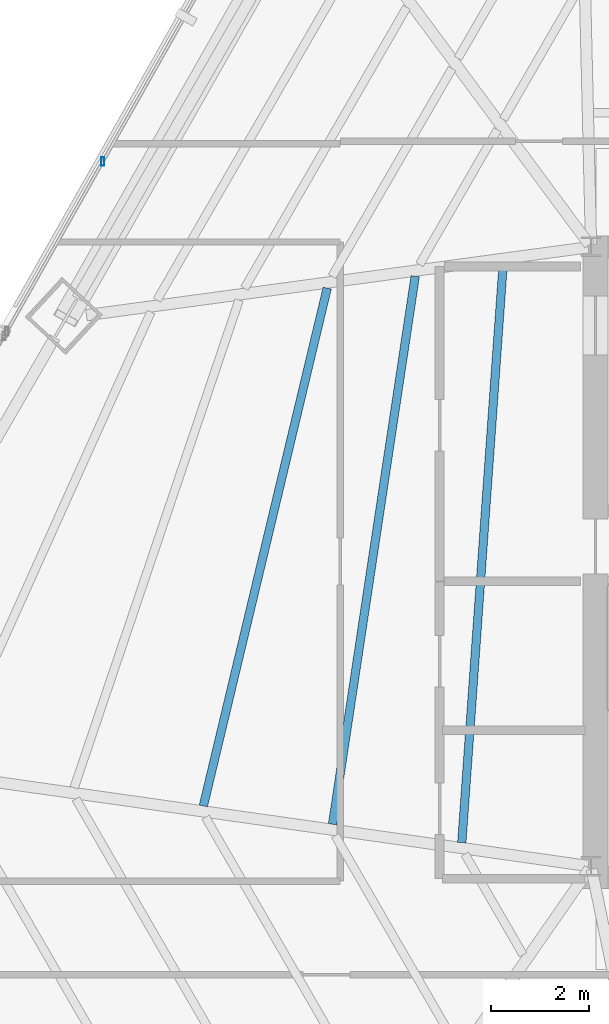
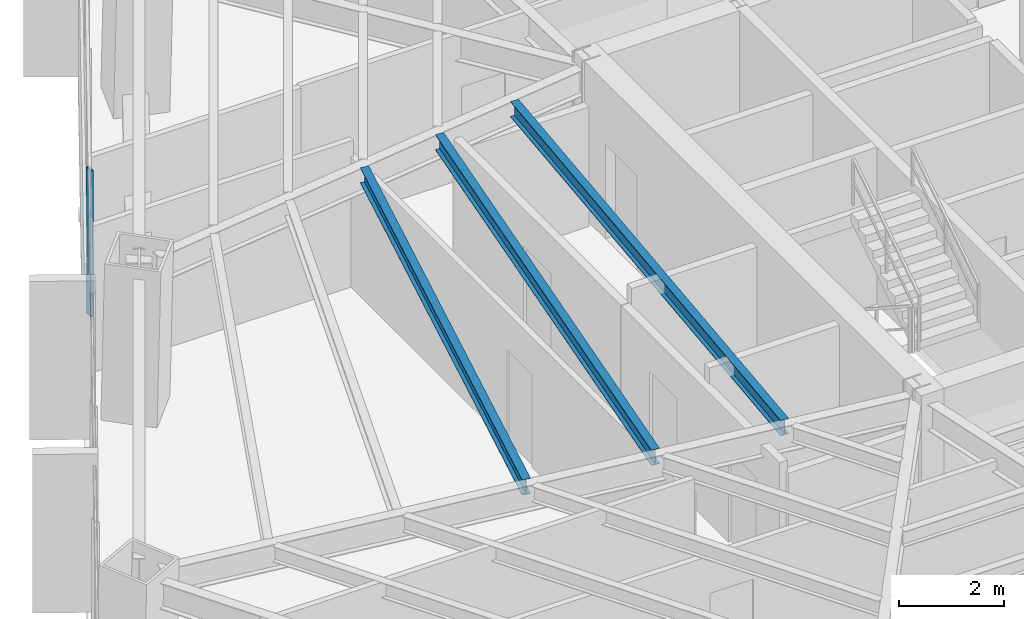
# One storey, part 12 of 36: 3 beams, 1 member, 1 element without a shape of its own.
"""IFC4 building model written with IfcOpenShell, lengths in metres."""

import ifcopenshell
import ifcopenshell.guid

model = None  # the IFC model being written
_history = None  # IfcOwnerHistory: only IFC2X3 demands one
_inside = {}  # id of a spatial element -> (the spatial element, [elements in it])
_under = {}  # id of a project, library or spatial element -> (it, [spatial elements below it])
_declared = {}  # id of a project -> (the project, [libraries it declares])
_typed = {}  # id of a type object -> (the type object, [elements of that type])
_made_of = {}  # id of a material, layer set ... -> (it, [elements and type objects made of it])


def new_model(schema):
    """Start an empty IFC model of exactly this schema.

    Asked for "IFC4X3", IfcOpenShell would pick the latest addendum, in which some entities
    have other attributes; the version numbers below select the first issue.
    IFC2X3 requires an IfcOwnerHistory on every rooted entity: one is made here for all.
    """
    global model, _history
    if schema == "IFC4X3":
        model = ifcopenshell.file(schema_version=(4, 3, 0, 0))
    else:
        model = ifcopenshell.file(schema=schema)
    _inside.clear()
    _under.clear()
    _declared.clear()
    _typed.clear()
    _made_of.clear()
    _history = None
    if model.schema == "IFC2X3":
        org = make("IfcOrganization", Name="unknown")
        user = make(
            "IfcPersonAndOrganization",
            ThePerson=make("IfcPerson", FamilyName="unknown"),
            TheOrganization=org,
        )
        app = make(
            "IfcApplication",
            ApplicationDeveloper=org,
            Version="unknown",
            ApplicationFullName="unknown",
            ApplicationIdentifier="unknown",
        )
        _history = make(
            "IfcOwnerHistory",
            OwningUser=user,
            OwningApplication=app,
            ChangeAction="ADDED",
            CreationDate=0,
        )
    return model


def make(cls, **values):
    """One entity of the class cls with the attributes given. An attribute that is None is left unset."""
    return model.create_entity(
        cls, **{name: value for name, value in values.items() if value is not None}
    )


def rooted(cls, **values):
    """An entity with a GlobalId (a new one), such as an element, a storey or a relation."""
    return make(cls, GlobalId=ifcopenshell.guid.new(), OwnerHistory=_history, **values)


def si_unit(unit_type, name, prefix=None):
    """IfcSIUnit, for example si_unit("LENGTHUNIT", "METRE", prefix="MILLI")."""
    return make("IfcSIUnit", UnitType=unit_type, Prefix=prefix, Name=name)


def assignment(units):
    """IfcUnitAssignment: the units of a project."""
    return None if units is None else make("IfcUnitAssignment", Units=units)


def point(xyz):
    """IfcCartesianPoint."""
    return None if xyz is None else make("IfcCartesianPoint", Coordinates=xyz)


def direction(xyz):
    """IfcDirection."""
    return None if xyz is None else make("IfcDirection", DirectionRatios=xyz)


def frame(location, z_axis=None, x_axis=None):
    """IfcAxis2Placement3D, a coordinate frame: its origin and axes. An axis left out is left unset."""
    return make(
        "IfcAxis2Placement3D",
        Location=point(location),
        Axis=direction(z_axis),
        RefDirection=direction(x_axis),
    )


def frame_2d(location, x_axis=None):
    """IfcAxis2Placement2D, a coordinate frame in the plane: its origin and x axis."""
    return make(
        "IfcAxis2Placement2D", Location=point(location), RefDirection=direction(x_axis)
    )


def origin():
    """The frame at (0, 0, 0) with its axes left unset."""
    return frame((0.0, 0.0, 0.0))


def origin_2d():
    """The frame at (0, 0) in the plane with its x axis left unset."""
    return frame_2d((0.0, 0.0))


def place(relative_to, where):
    """IfcLocalPlacement: puts the frame where relative to a parent placement (None: the world)."""
    return make(
        "IfcLocalPlacement", PlacementRelTo=relative_to, RelativePlacement=where
    )


def context(
    kind, dimensions, precision=None, world=None, true_north=None, identifier=None
):
    """IfcGeometricRepresentationContext, for example the 3D "Model" context."""
    return make(
        "IfcGeometricRepresentationContext",
        ContextIdentifier=identifier,
        ContextType=kind,
        CoordinateSpaceDimension=dimensions,
        Precision=precision,
        WorldCoordinateSystem=world,
        TrueNorth=true_north,
    )


def subcontext(parent, identifier, kind, view, scale=None):
    """IfcGeometricRepresentationSubContext, for example "Body" below "Model"."""
    return make(
        "IfcGeometricRepresentationSubContext",
        ContextIdentifier=identifier,
        ContextType=kind,
        ParentContext=parent,
        TargetScale=scale,
        TargetView=view,
    )


def project(units=None, contexts=None):
    """IfcProject with its units and contexts."""
    return rooted(
        "IfcProject",
        Name="project",
        RepresentationContexts=contexts,
        UnitsInContext=assignment(units),
    )


def spatial(cls, under=None, at=None, **own):
    """A site, building, storey or space (cls), placed at a placement, below another one or the project."""
    s = rooted(cls, ObjectPlacement=at, **own)
    if under is not None:
        _under.setdefault(under.id(), (under, []))[1].append(s)
    return s


def profile(cls, at=None, kind="AREA", **sizes):
    """A parametric profile (cls). Its sizes go by their IFC names, for example OverallWidth=200.0."""
    return make(cls, ProfileType=kind, Position=at, **sizes)


def hollow_rectangle(**sizes):
    """IfcRectangleHollowProfileDef."""
    return profile("IfcRectangleHollowProfileDef", **sizes)


def i_section(**sizes):
    """IfcIShapeProfileDef."""
    return profile("IfcIShapeProfileDef", **sizes)


def extrude(swept, where, along, depth):
    """IfcExtrudedAreaSolid: the profile swept, set in the frame where, extruded along a direction by depth."""
    return make(
        "IfcExtrudedAreaSolid",
        SweptArea=swept,
        Position=where,
        ExtrudedDirection=direction(along),
        Depth=depth,
    )


def shape(context_of_items, identifier, shape_type, items):
    """IfcShapeRepresentation: the items that make up one representation, for example the "Body"."""
    return make(
        "IfcShapeRepresentation",
        ContextOfItems=context_of_items,
        RepresentationIdentifier=identifier,
        RepresentationType=shape_type,
        Items=items,
    )


def source(mapping_origin, context_of_items, identifier, shape_type, items):
    """IfcRepresentationMap: a shape defined once, which mapped items show again and again."""
    return make(
        "IfcRepresentationMap",
        MappingOrigin=mapping_origin,
        MappedRepresentation=shape(context_of_items, identifier, shape_type, items),
    )


def transform(
    local_origin,
    x_axis=None,
    y_axis=None,
    z_axis=None,
    scale=None,
    scale2=None,
    scale3=None,
    uniform=True,
):
    """IfcCartesianTransformationOperator3D, or its non-uniform kind. x_axis, y_axis, z_axis: its Axis1, 2, 3."""
    if uniform:
        return make(
            "IfcCartesianTransformationOperator3D",
            Axis1=direction(x_axis),
            Axis2=direction(y_axis),
            LocalOrigin=point(local_origin),
            Scale=scale,
            Axis3=direction(z_axis),
        )
    return make(
        "IfcCartesianTransformationOperator3DnonUniform",
        Axis1=direction(x_axis),
        Axis2=direction(y_axis),
        LocalOrigin=point(local_origin),
        Scale=scale,
        Axis3=direction(z_axis),
        Scale2=scale2,
        Scale3=scale3,
    )


def mapped(mapping_source, mapping_target):
    """IfcMappedItem: shows the shape of a source again, moved by a transform."""
    return make(
        "IfcMappedItem", MappingSource=mapping_source, MappingTarget=mapping_target
    )


def material(Name=None, Category=None):
    """IfcMaterial."""
    return make("IfcMaterial", Name=Name, Category=Category)


def material_profile(
    of_material, cross_section, Name=None, Category=None, Priority=None
):
    """IfcMaterialProfile: a cross section and its material."""
    return make(
        "IfcMaterialProfile",
        Name=Name,
        Material=of_material,
        Profile=cross_section,
        Priority=Priority,
        Category=Category,
    )


def profile_set(profiles, Name=None, composite=None):
    """IfcMaterialProfileSet."""
    return make(
        "IfcMaterialProfileSet",
        Name=Name,
        MaterialProfiles=profiles,
        CompositeProfile=composite,
    )


def made_of(thing, what):
    """Note that an element or type object is made of a material, layer set ...; save() writes the relation."""
    if what is not None:
        _made_of.setdefault(what.id(), (what, []))[1].append(thing)
    return thing


def type_object(cls, material=None, **own):
    """A type object (cls), such as IfcWallType, which elements share."""
    return made_of(rooted(cls, **own), material)


def type_shapes(of_type, sources):
    """Give a type object the sources (RepresentationMaps) that its elements show as mapped items."""
    of_type.RepresentationMaps = sources


def element(
    cls,
    number,
    at=None,
    inside=None,
    cuts=None,
    type_object=None,
    material=None,
    context=None,
    identifier="Body",
    shape_type=None,
    held_by="IfcProductDefinitionShape",
    body=None,
    shapes=None,
    **own,
):
    """One element of the class cls, such as IfcWall. Its Tag is "e" and its number.

    at: its placement. inside: the storey or other place that contains it. cuts: it is an
    opening in that element (IfcRelVoidsElement). A single representation is given by context,
    identifier, shape_type and body (its items); several are given by shapes. held_by: the class
    of the entity that holds the representations. save() writes the other relations.
    """
    e = rooted(cls, Tag="e%d" % number, ObjectPlacement=at, **own)
    if body is not None:
        shapes = [shape(context, identifier, shape_type, body)]
    if shapes is not None:
        e.Representation = make(held_by, Representations=shapes)
    if inside is not None:
        _inside.setdefault(inside.id(), (inside, []))[1].append(e)
    if cuts is not None:
        rooted(
            "IfcRelVoidsElement", RelatingBuildingElement=cuts, RelatedOpeningElement=e
        )
    if type_object is not None:
        _typed.setdefault(type_object.id(), (type_object, []))[1].append(e)
    return made_of(e, material)


def aggregate(whole, parts):
    """IfcRelAggregates: a whole, such as a stair, and the parts it consists of."""
    return rooted("IfcRelAggregates", RelatingObject=whole, RelatedObjects=parts)


def save(model, path):
    """Write the relations noted so far, then the file.

    IfcRelAggregates (storeys below a building ...), IfcRelContainedInSpatialStructure (elements
    in a storey), IfcRelDefinesByType, IfcRelAssociatesMaterial and IfcRelDeclares: one each for
    every whole, place, type object, material and project.
    """
    for whole, parts in _under.values():
        aggregate(whole, parts)
    for where, things in _inside.values():
        rooted(
            "IfcRelContainedInSpatialStructure",
            RelatedElements=things,
            RelatingStructure=where,
        )
    for kind, things in _typed.values():
        rooted("IfcRelDefinesByType", RelatedObjects=things, RelatingType=kind)
    for what, things in _made_of.values():
        rooted("IfcRelAssociatesMaterial", RelatedObjects=things, RelatingMaterial=what)
    for by, libraries in _declared.values():
        rooted("IfcRelDeclares", RelatingContext=by, RelatedDefinitions=libraries)
    model.write(path)


model = new_model("IFC4")

# Units and contexts
model_context = context("Model", 3, precision=1e-05, world=origin(), true_north=direction((0.0, 1.0)))
body_context = subcontext(model_context, "Body", "Model", "MODEL_VIEW")
ifc_project = project(units=[si_unit("LENGTHUNIT", "METRE"), si_unit("AREAUNIT", "SQUARE_METRE"), si_unit("VOLUMEUNIT", "CUBIC_METRE"), si_unit("PLANEANGLEUNIT", "RADIAN"), si_unit("MASSUNIT", "GRAM", prefix="KILO")], contexts=[model_context])

# Site, building, storey
site_placement = place(None, origin())
site = spatial("IfcSite", under=ifc_project, at=site_placement, CompositionType="ELEMENT")
building_placement = place(site_placement, origin())
building = spatial("IfcBuilding", under=site, at=building_placement, Name="Caelisora Broadcast Tower", CompositionType="ELEMENT")
storey_placement = place(building_placement, frame((0.0, 0.0, 83.5)))
storey = spatial("IfcBuildingStorey", under=building, at=storey_placement, Name="L21", CompositionType="ELEMENT", Elevation=83.5)

# Beams
ifc_material_1 = material(Name="Steel Grade 350 (AS/NZS 3679.1)", Category="steel")
ifc_material_profile_1 = material_profile(ifc_material_1, i_section(OverallWidth=0.172119140625, OverallDepth=0.358642578125, WebThickness=0.008056640625, FlangeThickness=0.012939453125, at=origin_2d()), Name="Steel Grade 350 (AS/NZS 3679.1)")
ifc_profile_set_1 = profile_set([ifc_material_profile_1], Name="Steel Grade 350 (AS/NZS 3679.1)")
beam_type = type_object("IfcBeamType", Name="SB02", PredefinedType="JOIST", material=ifc_profile_set_1)
shared_shape_1 = source(origin(), body_context, "Body", "SweptSolid", [
    extrude(i_section(OverallWidth=0.172119140625, OverallDepth=0.358642578125, WebThickness=0.008056640625, FlangeThickness=0.012939453125, at=origin_2d()), origin(), (0.0, 0.0, 1.0), 11.791015625),
])
beam_1_placement = place(storey_placement, frame((28.712158203125, 29.64599609375, 3.220703125), z_axis=(-0.071372123725, -0.997449758111, 0.0), x_axis=(0.997449758111, -0.071372123725, 0.0)))
element("IfcBeam", 1, at=beam_1_placement, inside=storey, type_object=beam_type, Name="L21 beam SB02", PredefinedType="JOIST", context=body_context, shape_type="MappedRepresentation", body=[
    mapped(shared_shape_1, transform((0.0, 0.0, 0.0), scale=1.0)),
])
shared_shape_2 = source(origin(), body_context, "Body", "SweptSolid", [
    extrude(i_section(OverallWidth=0.172119140625, OverallDepth=0.358642578125, WebThickness=0.008056640625, FlangeThickness=0.012939453125, at=origin_2d()), origin(), (0.0, 0.0, 1.0), 11.27197265625),
])
beam_2_placement = place(storey_placement, frame((26.923095703125, 29.40380859375, 3.220703125), z_axis=(-0.149122036075, -0.988818799557, 0.0), x_axis=(0.988818799557, -0.149122036075, 0.0)))
element("IfcBeam", 2, at=beam_2_placement, inside=storey, type_object=beam_type, Name="L21 beam SB02", PredefinedType="JOIST", context=body_context, shape_type="MappedRepresentation", body=[
    mapped(shared_shape_2, transform((0.0, 0.0, 0.0), scale=1.0)),
])
shared_shape_3 = source(origin(), body_context, "Body", "SweptSolid", [
    extrude(i_section(OverallWidth=0.172119140625, OverallDepth=0.358642578125, WebThickness=0.008056640625, FlangeThickness=0.012939453125, at=origin_2d()), origin(), (0.0, 0.0, 1.0), 10.828125),
])
type_shapes(beam_type, [shared_shape_1, shared_shape_2, shared_shape_3])
beam_3_placement = place(storey_placement, frame((25.133056640625, 29.161376953125, 3.220703125), z_axis=(-0.232618186176, -0.972568136153, 0.0), x_axis=(0.972568136153, -0.232618186176, 0.0)))
element("IfcBeam", 3, at=beam_3_placement, inside=storey, type_object=beam_type, Name="L21 beam SB02", PredefinedType="JOIST", context=body_context, shape_type="MappedRepresentation", body=[
    mapped(shared_shape_3, transform((0.0, 0.0, 0.0), scale=1.0)),
])

# Curtain wall, member
ifc_material_2 = material(Name="Unitised Aluminium Insulated Shadow-Box Spandrel Curtain Wall", Category="aluminium")
curtain_wall_type = type_object("IfcCurtainWallType", Name="CW-SP1", PredefinedType="NOTDEFINED", material=ifc_material_2)
curtain_wall_placement = place(storey_placement, origin())
curtain_wall = element("IfcCurtainWall", 4, at=curtain_wall_placement, inside=storey, type_object=curtain_wall_type, Name="L21 curtain wall CW-SP1", PredefinedType="NOTDEFINED")
ifc_material_3 = material(Name="Aluminium 6063-T6 Anodised Terracotta Bronze", Category="aluminium")
ifc_material_profile_2 = material_profile(ifc_material_3, hollow_rectangle(XDim=0.06494140625, YDim=0.179931640625, WallThickness=0.00341796875, at=origin_2d()), Name="Aluminium 6063-T6 Anodised Terracotta Bronze")
ifc_profile_set_2 = profile_set([ifc_material_profile_2], Name="Aluminium 6063-T6 Anodised Terracotta Bronze")
member_type = type_object("IfcMemberType", Name="CWM-02", PredefinedType="MULLION", material=ifc_profile_set_2)
shared_shape_4 = source(origin(), body_context, "Body", "SweptSolid", [
    extrude(hollow_rectangle(XDim=0.06494140625, YDim=0.179931640625, WallThickness=0.00341796875, at=origin_2d()), origin(), (0.0, 0.0, 1.0), 3.39990234375),
])
type_shapes(member_type, [shared_shape_4])
member_placement = place(storey_placement, frame((20.569580078125, 31.735595703125, 0.0), z_axis=(0.0, 0.0, 1.0), x_axis=(1.0, 0.0, 0.0)))
member = element("IfcMember", 5, at=member_placement, type_object=member_type, Name="L21-CW-B10 mullion #1", PredefinedType="MULLION", context=body_context, shape_type="MappedRepresentation", body=[
    mapped(shared_shape_4, transform((0.0, 0.0, 0.0), scale=1.0)),
])
aggregate(curtain_wall, [member])

save(model, "model.ifc")
